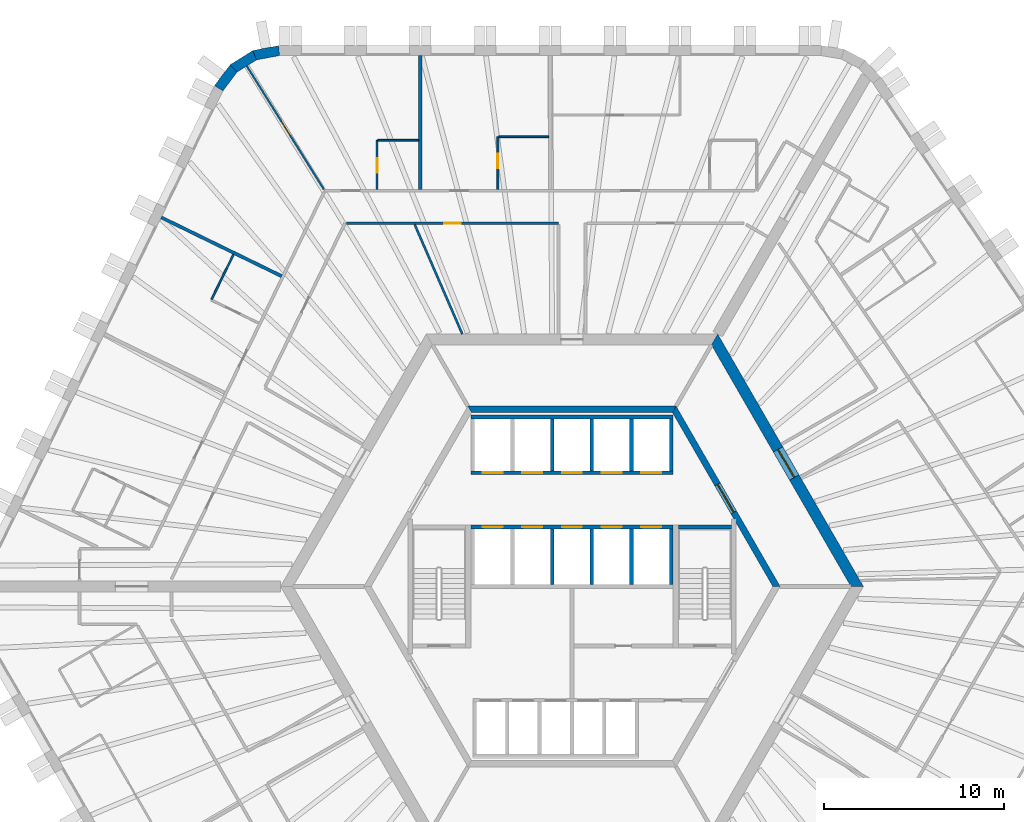
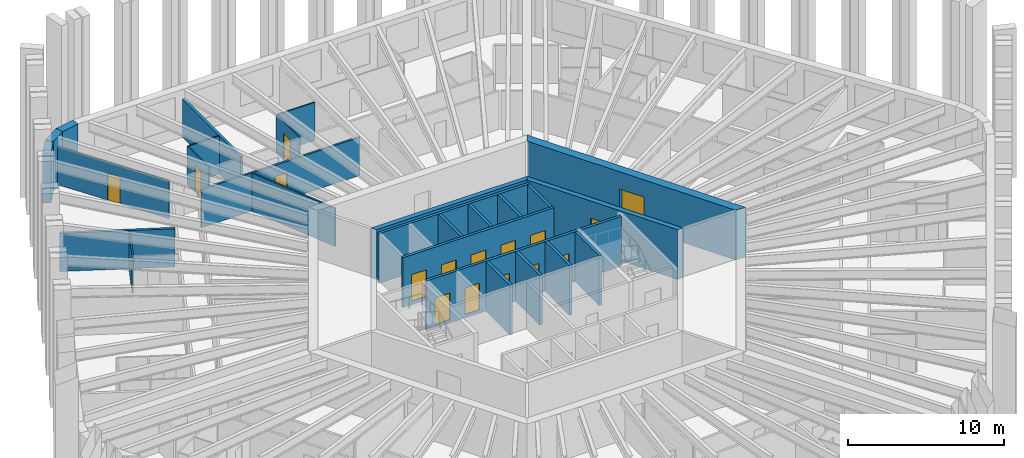
# One storey, part 8 of 13: 28 walls, 16 doors, 16 openings.
"""IFC4 building model written with IfcOpenShell, lengths in metres."""

from ifc_helpers import new_model, si_unit, direction, frame, frame_2d, origin, place, context, subcontext, project, spatial, polyline, rectangle, outline, extrude, material, layer, layer_set, type_object, element, fill, save


model = new_model("IFC4")

# Units and contexts
model_context = context("Model", 3, precision=1e-05, world=origin(), true_north=direction((0.0, 1.0)))
body_context = subcontext(model_context, "Body", "Model", "MODEL_VIEW")
ifc_project = project(units=[si_unit("LENGTHUNIT", "METRE"), si_unit("AREAUNIT", "SQUARE_METRE"), si_unit("VOLUMEUNIT", "CUBIC_METRE"), si_unit("PLANEANGLEUNIT", "RADIAN"), si_unit("MASSUNIT", "GRAM", prefix="KILO")], contexts=[model_context])

# Site, building, storey
site_placement = place(None, origin())
site = spatial("IfcSite", under=ifc_project, at=site_placement, CompositionType="ELEMENT")
building_placement = place(site_placement, origin())
building = spatial("IfcBuilding", under=site, at=building_placement, Name="Tarnside Tower", CompositionType="ELEMENT")
storey_placement = place(building_placement, frame((0.0, 0.0, 123.300048828125)))
storey = spatial("IfcBuildingStorey", under=building, at=storey_placement, Name="L28", CompositionType="ELEMENT", Elevation=123.300048828125)

# Wall, opening, door
ifc_material_1 = material(Name="Gypsum board partition on steel studs", Category="steel")
ifc_layer_1 = layer(ifc_material_1, 0.10009765625)
ifc_layer_set_1 = layer_set([ifc_layer_1], Name="Bathroom wall 100")
wall_type_1 = type_object("IfcWallType", Name="Bathroom wall 100", PredefinedType="PARTITIONING", material=ifc_layer_set_1)
wall_1_placement = place(storey_placement, frame((-4.111083984375, 22.02490234375, 0.0), z_axis=(0.0, 0.0, 1.0), x_axis=(0.0, 1.0, 0.0)))
wall_1 = element("IfcWall", 1, at=wall_1_placement, inside=storey, type_object=wall_type_1, Name="Bathroom wall 09089", PredefinedType="PARTITIONING", context=body_context, shape_type="SweptSolid", body=[
    extrude(rectangle(XDim=2.925048828125, YDim=0.10009765625, at=frame_2d((1.46240234375, 0.0))), origin(), (0.0, 0.0, 1.0), 2.98779296875),
])
opening_1_placement = place(wall_1_placement, frame((1.175048828125, 0.0, 0.0)))
opening_1 = element("IfcOpeningElement", 2, at=opening_1_placement, cuts=wall_1, Name="Opening D-B1", PredefinedType="OPENING", context=body_context, shape_type="SweptSolid", body=[
    extrude(rectangle(XDim=0.800048828125, YDim=2.10009765625, at=frame_2d((0.39990234375, 1.050048828125))), frame((0.0, 0.06005859375, 0.0), z_axis=(0.0, -1.0, 0.0), x_axis=(1.0, 0.0, 0.0)), (0.0, 0.0, 1.0), 0.1201171875),
])
ifc_material_2 = material(Name="Timber door leaf", Category="wood")
door_type_1 = type_object("IfcDoorType", Name="Bathroom door 800", OperationType="NOTDEFINED", PredefinedType="DOOR", material=ifc_material_2)
door_1_placement = place(opening_1_placement, origin())
door_1 = element("IfcDoor", 3, at=door_1_placement, inside=storey, type_object=door_type_1, Name="Bathroom door 09005", OperationType="SINGLE_SWING_LEFT", OverallHeight=2.10009765625, OverallWidth=0.800048828125, PredefinedType="DOOR", context=body_context, shape_type="SweptSolid", body=[
    extrude(rectangle(XDim=0.800048828125, YDim=2.10009765625, at=frame_2d((0.39990234375, 1.050048828125))), frame((0.0, 0.02490234375, 0.0), z_axis=(0.0, -1.0, 0.0), x_axis=(1.0, 0.0, 0.0)), (0.0, 0.0, 1.0), 0.050048828125),
])
fill(opening_1, door_1)

# Wall
wall_2_placement = place(storey_placement, frame((-4.06103515625, 24.949951171875, 0.0), z_axis=(0.0, 0.0, 1.0), x_axis=(1.0, 0.0, 0.0)))
element("IfcWall", 4, at=wall_2_placement, inside=storey, type_object=wall_type_1, Name="Bathroom wall 09090", PredefinedType="PARTITIONING", context=body_context, shape_type="SweptSolid", body=[
    extrude(rectangle(XDim=2.760009765625, YDim=0.10009765625, at=frame_2d((1.3798828125, 0.0))), origin(), (0.0, 0.0, 1.0), 2.98779296875),
])

# Wall, opening, door
wall_3_placement = place(storey_placement, frame((-10.81103515625, 22.02490234375, 0.0), z_axis=(0.0, 0.0, 1.0), x_axis=(0.0, 1.0, 0.0)))
wall_3 = element("IfcWall", 5, at=wall_3_placement, inside=storey, type_object=wall_type_1, Name="Bathroom wall 09093", PredefinedType="PARTITIONING", context=body_context, shape_type="SweptSolid", body=[
    extrude(rectangle(XDim=2.72509765625, YDim=0.10009765625, at=frame_2d((1.362548828125, 0.0))), origin(), (0.0, 0.0, 1.0), 2.98779296875),
])
opening_2_placement = place(wall_3_placement, frame((0.925048828125, 0.0, 0.0)))
opening_2 = element("IfcOpeningElement", 6, at=opening_2_placement, cuts=wall_3, Name="Opening D-B1", PredefinedType="OPENING", context=body_context, shape_type="SweptSolid", body=[
    extrude(rectangle(XDim=0.800048828125, YDim=2.10009765625, at=frame_2d((0.39990234375, 1.050048828125))), frame((0.0, 0.06005859375, 0.0), z_axis=(0.0, -1.0, 0.0), x_axis=(1.0, 0.0, 0.0)), (0.0, 0.0, 1.0), 0.1201171875),
])
door_2_placement = place(opening_2_placement, origin())
door_2 = element("IfcDoor", 7, at=door_2_placement, inside=storey, type_object=door_type_1, Name="Bathroom door 09007", OperationType="SINGLE_SWING_RIGHT", OverallHeight=2.10009765625, OverallWidth=0.800048828125, PredefinedType="DOOR", context=body_context, shape_type="SweptSolid", body=[
    extrude(rectangle(XDim=0.800048828125, YDim=2.10009765625, at=frame_2d((0.39990234375, 1.050048828125))), frame((0.0, 0.02490234375, 0.0), z_axis=(0.0, -1.0, 0.0), x_axis=(1.0, 0.0, 0.0)), (0.0, 0.0, 1.0), 0.050048828125),
])
fill(opening_2, door_2)

# Walls
wall_4_placement = place(storey_placement, frame((-10.760986328125, 24.75, 0.0), z_axis=(0.0, 0.0, 1.0), x_axis=(1.0, 0.0, 0.0)))
element("IfcWall", 8, at=wall_4_placement, inside=storey, type_object=wall_type_1, Name="Bathroom wall 09094", PredefinedType="PARTITIONING", context=body_context, shape_type="SweptSolid", body=[
    extrude(rectangle(XDim=2.260009765625, YDim=0.10009765625, at=frame_2d((1.1298828125, 0.0))), origin(), (0.0, 0.0, 1.0), 2.98779296875),
])
wall_5_placement = place(storey_placement, frame((-19.987060546875, 15.935546875, 0.0), z_axis=(0.0, 0.0, 1.0), x_axis=(0.438381805748, 0.898788847499, 0.0)))
element("IfcWall", 9, at=wall_5_placement, inside=storey, type_object=wall_type_1, Name="Bathroom wall 09099", PredefinedType="PARTITIONING", context=body_context, shape_type="SweptSolid", body=[
    extrude(rectangle(XDim=2.760009765625, YDim=0.10009765625, at=frame_2d((1.3798828125, 0.0))), origin(), (0.0, 0.0, 1.0), 2.98779296875),
])

# Wall, opening, door
ifc_material_3 = material(Name="Concrete C50/60", Category="concrete")
ifc_layer_2 = layer(ifc_material_3, 0.35009765625)
ifc_layer_set_2 = layer_set([ifc_layer_2], Name="Core block wall 350 C50/60")
wall_type_2 = type_object("IfcWallType", Name="Core block wall 350 C50/60", PredefinedType="SHEAR", material=ifc_layer_set_2)
wall_6_placement = place(storey_placement, frame((11.344970703125, 0.0, -0.150146484375), z_axis=(0.0, 0.0, 1.0), x_axis=(-0.499995046907, 0.866028263435, 0.0)))
wall_6 = element("IfcWall", 10, at=wall_6_placement, inside=storey, type_object=wall_type_2, Name="L28 core block wall face 6", PredefinedType="SHEAR", context=body_context, shape_type="SweptSolid", body=[
    extrude(outline(polyline([(-0.10107421875, -0.175048828125), (11.44580078125, -0.175048828125), (11.24365234375, 0.175048828125), (0.10107421875, 0.175048828125), (-0.10107421875, -0.175048828125)])), origin(), (0.0, 0.0, 1.0), 3.900146484375),
])
opening_3_placement = place(wall_6_placement, frame((4.74365234375, 0.0, 0.14990234375)))
opening_3 = element("IfcOpeningElement", 11, at=opening_3_placement, cuts=wall_6, Name="Opening CD-LOB", PredefinedType="OPENING", context=body_context, shape_type="SweptSolid", body=[
    extrude(rectangle(XDim=1.800048828125, YDim=2.39990234375, at=frame_2d((0.89990234375, 1.199951171875))), frame((0.0, 0.18505859375, 0.0), z_axis=(0.0, -1.0, 0.0), x_axis=(1.0, 0.0, 0.0)), (0.0, 0.0, 1.0), 0.3701171875),
])
ifc_material_4 = material(Name="Steel fire door", Category="steel")
door_type_2 = type_object("IfcDoorType", Name="Lobby double door FD30S 1800x2400", OperationType="NOTDEFINED", PredefinedType="DOOR", material=ifc_material_4)
door_3_placement = place(opening_3_placement, origin())
door_3 = element("IfcDoor", 12, at=door_3_placement, inside=storey, type_object=door_type_2, Name="L28 lobby block door P2", OperationType="DOUBLE_DOOR_SINGLE_SWING", OverallHeight=2.39990234375, OverallWidth=1.800048828125, PredefinedType="DOOR", context=body_context, shape_type="SweptSolid", body=[
    extrude(rectangle(XDim=1.800048828125, YDim=2.39990234375, at=frame_2d((0.89990234375, 1.199951171875))), frame((0.0, 0.02490234375, 0.0), z_axis=(0.0, -1.0, 0.0), x_axis=(1.0, 0.0, 0.0)), (0.0, 0.0, 1.0), 0.050048828125),
])
fill(opening_3, door_3)

# Wall
wall_7_placement = place(storey_placement, frame((5.672607421875, 9.824951171875, -0.150146484375), z_axis=(0.0, 0.0, 1.0), x_axis=(-1.0, 0.0, 0.0)))
element("IfcWall", 13, at=wall_7_placement, inside=storey, type_object=wall_type_2, Name="L28 core block wall face 1", PredefinedType="SHEAR", context=body_context, shape_type="SweptSolid", body=[
    extrude(outline(polyline([(-0.10107421875, -0.175048828125), (11.4462890625, -0.175048828125), (11.244140625, 0.175048828125), (0.10107421875, 0.175048828125), (-0.10107421875, -0.175048828125)])), origin(), (0.0, 0.0, 1.0), 3.900146484375),
])

# Wall, opening, door
ifc_material_5 = material(Name="Concrete C80/95", Category="concrete")
ifc_layer_3 = layer(ifc_material_5, 0.60009765625)
ifc_layer_set_3 = layer_set([ifc_layer_3], Name="Core wall Z1 600 C80/95")
wall_type_3 = type_object("IfcWallType", Name="Core wall Z1 600 C80/95", PredefinedType="SHEAR", material=ifc_layer_set_3)
wall_8_placement = place(storey_placement, frame((15.8193359375, 0.0, -0.150146484375), z_axis=(0.0, 0.0, 1.0), x_axis=(-0.499999880136, 0.866025472988, 0.0)))
wall_8 = element("IfcWall", 14, at=wall_8_placement, inside=storey, type_object=wall_type_3, Name="L28 core wall face 6", PredefinedType="SHEAR", context=body_context, shape_type="SweptSolid", body=[
    extrude(outline(polyline([(-0.17333984375, -0.300048828125), (15.99267578125, -0.300048828125), (15.64599609375, 0.300048828125), (0.17333984375, 0.300048828125), (-0.17333984375, -0.300048828125)])), origin(), (0.0, 0.0, 1.0), 3.900146484375),
])
opening_4_placement = place(wall_8_placement, frame((6.980712890625, 0.0, 0.14990234375)))
opening_4 = element("IfcOpeningElement", 15, at=opening_4_placement, cuts=wall_8, Name="Opening CD-LOB", PredefinedType="OPENING", context=body_context, shape_type="SweptSolid", body=[
    extrude(rectangle(XDim=1.800048828125, YDim=2.39990234375, at=frame_2d((0.89990234375, 1.199951171875))), frame((0.0, 0.31005859375, 0.0), z_axis=(0.0, -1.0, 0.0), x_axis=(1.0, 0.0, 0.0)), (0.0, 0.0, 1.0), 0.6201171875),
])
door_4_placement = place(opening_4_placement, origin())
door_4 = element("IfcDoor", 16, at=door_4_placement, inside=storey, type_object=door_type_2, Name="L28 core door P2", OperationType="DOUBLE_DOOR_SINGLE_SWING", OverallHeight=2.39990234375, OverallWidth=1.800048828125, PredefinedType="DOOR", context=body_context, shape_type="SweptSolid", body=[
    extrude(rectangle(XDim=1.800048828125, YDim=2.39990234375, at=frame_2d((0.89990234375, 1.199951171875))), frame((0.0, 0.02490234375, 0.0), z_axis=(0.0, -1.0, 0.0), x_axis=(1.0, 0.0, 0.0)), (0.0, 0.0, 1.0), 0.050048828125),
])
fill(opening_4, door_4)

ifc_layer_4 = layer(ifc_material_1, 0.14990234375)
ifc_layer_set_4 = layer_set([ifc_layer_4], Name="Corridor wall 150 EI 60")
wall_type_4 = type_object("IfcWallType", Name="Corridor wall 150 EI 60", PredefinedType="PARTITIONING", material=ifc_layer_set_4)
wall_9_placement = place(storey_placement, frame((-12.507568359375, 20.14990234375, 0.0), z_axis=(0.0, 0.0, 1.0), x_axis=(1.0, 0.0, 0.0)))
wall_9 = element("IfcWall", 17, at=wall_9_placement, inside=storey, type_object=wall_type_4, Name="Corridor wall 09017", PredefinedType="PARTITIONING", context=body_context, shape_type="SweptSolid", body=[
    extrude(rectangle(XDim=11.757568359375, YDim=0.14990234375, at=frame_2d((5.87890625, 0.0))), origin(), (0.0, 0.0, 1.0), 2.98779296875),
])
opening_5_placement = place(wall_9_placement, frame((5.428955078125, 0.0, 0.0)))
opening_5 = element("IfcOpeningElement", 18, at=opening_5_placement, cuts=wall_9, Name="Opening D-S1", PredefinedType="OPENING", context=body_context, shape_type="SweptSolid", body=[
    extrude(rectangle(XDim=0.89990234375, YDim=2.10009765625, at=frame_2d((0.449951171875, 1.050048828125))), frame((0.0, 0.0849609375, 0.0), z_axis=(0.0, -1.0, 0.0), x_axis=(1.0, 0.0, 0.0)), (0.0, 0.0, 1.0), 0.169921875),
])
door_type_3 = type_object("IfcDoorType", Name="Service room door 900 FD30S", OperationType="NOTDEFINED", PredefinedType="DOOR", material=ifc_material_2)
door_5_placement = place(opening_5_placement, origin())
door_5 = element("IfcDoor", 19, at=door_5_placement, inside=storey, type_object=door_type_3, Name="Service door 09045", OperationType="SINGLE_SWING_RIGHT", OverallHeight=2.10009765625, OverallWidth=0.89990234375, PredefinedType="DOOR", context=body_context, shape_type="SweptSolid", body=[
    extrude(rectangle(XDim=0.89990234375, YDim=2.10009765625, at=frame_2d((0.449951171875, 1.050048828125))), frame((0.0, 0.02490234375, 0.0), z_axis=(0.0, -1.0, 0.0), x_axis=(1.0, 0.0, 0.0)), (0.0, 0.0, 1.0), 0.050048828125),
])
fill(opening_5, door_5)

# Walls
ifc_layer_5 = layer(ifc_material_1, 0.179931640625)
ifc_layer_set_5 = layer_set([ifc_layer_5], Name="Demising wall 180 EI 60")
wall_type_5 = type_object("IfcWallType", Name="Demising wall 180 EI 60", PredefinedType="PARTITIONING", material=ifc_layer_set_5)
for number, where, z_axis, x_axis, name in (
    (20, (-8.4111328125, 29.449951171875, 0.0), (0.0, 0.0, 1.0), (0.0, -1.0, 0.0), "Demising wall 09091"),
    (21, (-22.7822265625, 20.469970703125, 0.0), (0.0, 0.0, 1.0), (0.898796252669, -0.438366623032, 0.0), "Demising wall 09096"),
):
    element("IfcWall", number, at=place(storey_placement, frame(where, z_axis=z_axis, x_axis=x_axis)), inside=storey, type_object=wall_type_5, Name=name, PredefinedType="PARTITIONING", context=body_context, shape_type="SweptSolid", body=[
        extrude(rectangle(XDim=7.425048828125, YDim=0.179931640625, at=frame_2d((3.71240234375, 0.0))), origin(), (0.0, 0.0, 1.0), 2.98779296875),
    ])

# Wall, openings, doors
ifc_material_6 = material(Name="Concrete C40/50", Category="concrete")
ifc_layer_6 = layer(ifc_material_6, 0.199951171875)
ifc_layer_set_6 = layer_set([ifc_layer_6], Name="Lift shaft wall 200 C40/50")
wall_type_6 = type_object("IfcWallType", Name="Lift shaft wall 200 C40/50", PredefinedType="SHEAR", material=ifc_layer_set_6)
wall_10_placement = place(storey_placement, frame((-5.60009765625, 6.300048828125, -0.25), z_axis=(0.0, 0.0, 1.0), x_axis=(1.0, 0.0, 0.0)))
wall_10 = element("IfcWall", 22, at=wall_10_placement, inside=storey, type_object=wall_type_6, Name="L28 lift shaft front wall R1", PredefinedType="SHEAR", context=body_context, shape_type="SweptSolid", body=[
    extrude(rectangle(XDim=11.2001953125, YDim=0.199951171875, at=frame_2d((5.60009765625, 0.0))), origin(), (0.0, 0.0, 1.0), 3.89990234375),
])
opening_6_placement = place(wall_10_placement, frame((0.64990234375, 0.0, 0.25)))
opening_6 = element("IfcOpeningElement", 23, at=opening_6_placement, cuts=wall_10, Name="Opening LD", PredefinedType="OPENING", context=body_context, shape_type="SweptSolid", body=[
    extrude(rectangle(XDim=1.10009765625, YDim=2.10009765625, at=frame_2d((0.550048828125, 1.050048828125))), frame((0.0, 0.10986328125, 0.0), z_axis=(0.0, -1.0, 0.0), x_axis=(1.0, 0.0, 0.0)), (0.0, 0.0, 1.0), 0.219970703125),
])
opening_7_placement = place(wall_10_placement, frame((2.85009765625, 0.0, 0.25)))
opening_7 = element("IfcOpeningElement", 24, at=opening_7_placement, cuts=wall_10, Name="Opening LD", PredefinedType="OPENING", context=body_context, shape_type="SweptSolid", body=[
    extrude(rectangle(XDim=1.10009765625, YDim=2.10009765625, at=frame_2d((0.550048828125, 1.050048828125))), frame((0.0, 0.10986328125, 0.0), z_axis=(0.0, -1.0, 0.0), x_axis=(1.0, 0.0, 0.0)), (0.0, 0.0, 1.0), 0.219970703125),
])
opening_8_placement = place(wall_10_placement, frame((5.050048828125, 0.0, 0.25)))
opening_8 = element("IfcOpeningElement", 25, at=opening_8_placement, cuts=wall_10, Name="Opening LD", PredefinedType="OPENING", context=body_context, shape_type="SweptSolid", body=[
    extrude(rectangle(XDim=1.10009765625, YDim=2.10009765625, at=frame_2d((0.550048828125, 1.050048828125))), frame((0.0, 0.10986328125, 0.0), z_axis=(0.0, -1.0, 0.0), x_axis=(1.0, 0.0, 0.0)), (0.0, 0.0, 1.0), 0.219970703125),
])
opening_9_placement = place(wall_10_placement, frame((7.25, 0.0, 0.25)))
opening_9 = element("IfcOpeningElement", 26, at=opening_9_placement, cuts=wall_10, Name="Opening LD", PredefinedType="OPENING", context=body_context, shape_type="SweptSolid", body=[
    extrude(rectangle(XDim=1.10009765625, YDim=2.10009765625, at=frame_2d((0.550048828125, 1.050048828125))), frame((0.0, 0.10986328125, 0.0), z_axis=(0.0, -1.0, 0.0), x_axis=(1.0, 0.0, 0.0)), (0.0, 0.0, 1.0), 0.219970703125),
])
opening_10_placement = place(wall_10_placement, frame((9.449951171875, 0.0, 0.25)))
opening_10 = element("IfcOpeningElement", 27, at=opening_10_placement, cuts=wall_10, Name="Opening LD", PredefinedType="OPENING", context=body_context, shape_type="SweptSolid", body=[
    extrude(rectangle(XDim=1.10009765625, YDim=2.10009765625, at=frame_2d((0.550048828125, 1.050048828125))), frame((0.0, 0.10986328125, 0.0), z_axis=(0.0, -1.0, 0.0), x_axis=(1.0, 0.0, 0.0)), (0.0, 0.0, 1.0), 0.219970703125),
])
ifc_material_7 = material(Name="Stainless steel", Category="steel")
door_type_4 = type_object("IfcDoorType", Name="Lift landing door 1100x2100", OperationType="NOTDEFINED", PredefinedType="DOOR", material=ifc_material_7)
door_6_placement = place(opening_6_placement, origin())
door_6 = element("IfcDoor", 28, at=door_6_placement, inside=storey, type_object=door_type_4, Name="Low-rise lift 1 landing door L28", OperationType="SLIDING_TO_LEFT", OverallHeight=2.10009765625, OverallWidth=1.10009765625, PredefinedType="DOOR", context=body_context, shape_type="SweptSolid", body=[
    extrude(rectangle(XDim=1.10009765625, YDim=2.10009765625, at=frame_2d((0.550048828125, 1.050048828125))), frame((0.0, 0.02490234375, 0.0), z_axis=(0.0, -1.0, 0.0), x_axis=(1.0, 0.0, 0.0)), (0.0, 0.0, 1.0), 0.050048828125),
])
fill(opening_6, door_6)
door_7_placement = place(opening_7_placement, origin())
door_7 = element("IfcDoor", 29, at=door_7_placement, inside=storey, type_object=door_type_4, Name="Low-rise lift 2 landing door L28", OperationType="SLIDING_TO_LEFT", OverallHeight=2.10009765625, OverallWidth=1.10009765625, PredefinedType="DOOR", context=body_context, shape_type="SweptSolid", body=[
    extrude(rectangle(XDim=1.10009765625, YDim=2.10009765625, at=frame_2d((0.550048828125, 1.050048828125))), frame((0.0, 0.02490234375, 0.0), z_axis=(0.0, -1.0, 0.0), x_axis=(1.0, 0.0, 0.0)), (0.0, 0.0, 1.0), 0.050048828125),
])
fill(opening_7, door_7)
door_8_placement = place(opening_8_placement, origin())
door_8 = element("IfcDoor", 30, at=door_8_placement, inside=storey, type_object=door_type_4, Name="Low-rise lift 3 landing door L28", OperationType="SLIDING_TO_LEFT", OverallHeight=2.10009765625, OverallWidth=1.10009765625, PredefinedType="DOOR", context=body_context, shape_type="SweptSolid", body=[
    extrude(rectangle(XDim=1.10009765625, YDim=2.10009765625, at=frame_2d((0.550048828125, 1.050048828125))), frame((0.0, 0.02490234375, 0.0), z_axis=(0.0, -1.0, 0.0), x_axis=(1.0, 0.0, 0.0)), (0.0, 0.0, 1.0), 0.050048828125),
])
fill(opening_8, door_8)
door_9_placement = place(opening_9_placement, origin())
door_9 = element("IfcDoor", 31, at=door_9_placement, inside=storey, type_object=door_type_4, Name="Low sky-lobby shuttle 1 landing door L28", OperationType="SLIDING_TO_LEFT", OverallHeight=2.10009765625, OverallWidth=1.10009765625, PredefinedType="DOOR", context=body_context, shape_type="SweptSolid", body=[
    extrude(rectangle(XDim=1.10009765625, YDim=2.10009765625, at=frame_2d((0.550048828125, 1.050048828125))), frame((0.0, 0.02490234375, 0.0), z_axis=(0.0, -1.0, 0.0), x_axis=(1.0, 0.0, 0.0)), (0.0, 0.0, 1.0), 0.050048828125),
])
fill(opening_9, door_9)
door_10_placement = place(opening_10_placement, origin())
door_10 = element("IfcDoor", 32, at=door_10_placement, inside=storey, type_object=door_type_4, Name="Low sky-lobby shuttle 2 landing door L28", OperationType="SLIDING_TO_LEFT", OverallHeight=2.10009765625, OverallWidth=1.10009765625, PredefinedType="DOOR", context=body_context, shape_type="SweptSolid", body=[
    extrude(rectangle(XDim=1.10009765625, YDim=2.10009765625, at=frame_2d((0.550048828125, 1.050048828125))), frame((0.0, 0.02490234375, 0.0), z_axis=(0.0, -1.0, 0.0), x_axis=(1.0, 0.0, 0.0)), (0.0, 0.0, 1.0), 0.050048828125),
])
fill(opening_10, door_10)

# Walls
wall_11_placement = place(storey_placement, frame((-5.60009765625, 9.39990234375, -0.25), z_axis=(0.0, 0.0, 1.0), x_axis=(1.0, 0.0, 0.0)))
element("IfcWall", 33, at=wall_11_placement, inside=storey, type_object=wall_type_6, Name="L28 lift shaft back wall R1", PredefinedType="SHEAR", context=body_context, shape_type="SweptSolid", body=[
    extrude(rectangle(XDim=11.2001953125, YDim=0.199951171875, at=frame_2d((5.60009765625, 0.0))), origin(), (0.0, 0.0, 1.0), 3.89990234375),
])
for number, where, z_axis, x_axis, name in (
    (34, (-1.10009765625, 6.39990234375, -0.25), (0.0, 0.0, 1.0), (0.0, 1.0, 0.0), "L28 lift shaft partition R13"),
    (35, (1.10009765625, 6.39990234375, -0.25), (0.0, 0.0, 1.0), (0.0, 1.0, 0.0), "L28 lift shaft partition R14"),
    (36, (3.300048828125, 6.39990234375, -0.25), (0.0, 0.0, 1.0), (0.0, 1.0, 0.0), "L28 lift shaft partition R15"),
    (37, (5.5, 6.39990234375, -0.25), (0.0, 0.0, 1.0), (0.0, 1.0, 0.0), "L28 lift shaft partition R16"),
):
    element("IfcWall", number, at=place(storey_placement, frame(where, z_axis=z_axis, x_axis=x_axis)), inside=storey, type_object=wall_type_6, Name=name, PredefinedType="SHEAR", context=body_context, shape_type="SweptSolid", body=[
        extrude(rectangle(XDim=2.900146484375, YDim=0.199951171875, at=frame_2d((1.4501953125, 0.0))), origin(), (0.0, 0.0, 1.0), 3.89990234375),
    ])

# Wall, openings, doors
wall_12_placement = place(storey_placement, frame((-5.60009765625, 3.300048828125, -0.25), z_axis=(0.0, 0.0, 1.0), x_axis=(1.0, 0.0, 0.0)))
wall_12 = element("IfcWall", 38, at=wall_12_placement, inside=storey, type_object=wall_type_6, Name="L28 lift shaft front wall R2", PredefinedType="SHEAR", context=body_context, shape_type="SweptSolid", body=[
    extrude(rectangle(XDim=11.2001953125, YDim=0.199951171875, at=frame_2d((5.60009765625, 0.0))), origin(), (0.0, 0.0, 1.0), 3.89990234375),
])
opening_11_placement = place(wall_12_placement, frame((0.64990234375, 0.0, 0.25)))
opening_11 = element("IfcOpeningElement", 39, at=opening_11_placement, cuts=wall_12, Name="Opening LD", PredefinedType="OPENING", context=body_context, shape_type="SweptSolid", body=[
    extrude(rectangle(XDim=1.10009765625, YDim=2.10009765625, at=frame_2d((0.550048828125, 1.050048828125))), frame((0.0, 0.10986328125, 0.0), z_axis=(0.0, -1.0, 0.0), x_axis=(1.0, 0.0, 0.0)), (0.0, 0.0, 1.0), 0.219970703125),
])
opening_12_placement = place(wall_12_placement, frame((2.85009765625, 0.0, 0.25)))
opening_12 = element("IfcOpeningElement", 40, at=opening_12_placement, cuts=wall_12, Name="Opening LD", PredefinedType="OPENING", context=body_context, shape_type="SweptSolid", body=[
    extrude(rectangle(XDim=1.10009765625, YDim=2.10009765625, at=frame_2d((0.550048828125, 1.050048828125))), frame((0.0, 0.10986328125, 0.0), z_axis=(0.0, -1.0, 0.0), x_axis=(1.0, 0.0, 0.0)), (0.0, 0.0, 1.0), 0.219970703125),
])
opening_13_placement = place(wall_12_placement, frame((5.050048828125, 0.0, 0.25)))
opening_13 = element("IfcOpeningElement", 41, at=opening_13_placement, cuts=wall_12, Name="Opening LD", PredefinedType="OPENING", context=body_context, shape_type="SweptSolid", body=[
    extrude(rectangle(XDim=1.10009765625, YDim=2.10009765625, at=frame_2d((0.550048828125, 1.050048828125))), frame((0.0, 0.10986328125, 0.0), z_axis=(0.0, -1.0, 0.0), x_axis=(1.0, 0.0, 0.0)), (0.0, 0.0, 1.0), 0.219970703125),
])
opening_14_placement = place(wall_12_placement, frame((7.25, 0.0, 0.25)))
opening_14 = element("IfcOpeningElement", 42, at=opening_14_placement, cuts=wall_12, Name="Opening LD", PredefinedType="OPENING", context=body_context, shape_type="SweptSolid", body=[
    extrude(rectangle(XDim=1.10009765625, YDim=2.10009765625, at=frame_2d((0.550048828125, 1.050048828125))), frame((0.0, 0.10986328125, 0.0), z_axis=(0.0, -1.0, 0.0), x_axis=(1.0, 0.0, 0.0)), (0.0, 0.0, 1.0), 0.219970703125),
])
opening_15_placement = place(wall_12_placement, frame((9.449951171875, 0.0, 0.25)))
opening_15 = element("IfcOpeningElement", 43, at=opening_15_placement, cuts=wall_12, Name="Opening LD", PredefinedType="OPENING", context=body_context, shape_type="SweptSolid", body=[
    extrude(rectangle(XDim=1.10009765625, YDim=2.10009765625, at=frame_2d((0.550048828125, 1.050048828125))), frame((0.0, 0.10986328125, 0.0), z_axis=(0.0, -1.0, 0.0), x_axis=(1.0, 0.0, 0.0)), (0.0, 0.0, 1.0), 0.219970703125),
])
door_11_placement = place(opening_11_placement, origin())
door_11 = element("IfcDoor", 44, at=door_11_placement, inside=storey, type_object=door_type_4, Name="Low-rise lift 4 landing door L28", OperationType="SLIDING_TO_LEFT", OverallHeight=2.10009765625, OverallWidth=1.10009765625, PredefinedType="DOOR", context=body_context, shape_type="SweptSolid", body=[
    extrude(rectangle(XDim=1.10009765625, YDim=2.10009765625, at=frame_2d((0.550048828125, 1.050048828125))), frame((0.0, 0.02490234375, 0.0), z_axis=(0.0, -1.0, 0.0), x_axis=(1.0, 0.0, 0.0)), (0.0, 0.0, 1.0), 0.050048828125),
])
fill(opening_11, door_11)
door_12_placement = place(opening_12_placement, origin())
door_12 = element("IfcDoor", 45, at=door_12_placement, inside=storey, type_object=door_type_4, Name="Low-rise lift 5 landing door L28", OperationType="SLIDING_TO_LEFT", OverallHeight=2.10009765625, OverallWidth=1.10009765625, PredefinedType="DOOR", context=body_context, shape_type="SweptSolid", body=[
    extrude(rectangle(XDim=1.10009765625, YDim=2.10009765625, at=frame_2d((0.550048828125, 1.050048828125))), frame((0.0, 0.02490234375, 0.0), z_axis=(0.0, -1.0, 0.0), x_axis=(1.0, 0.0, 0.0)), (0.0, 0.0, 1.0), 0.050048828125),
])
fill(opening_12, door_12)
door_13_placement = place(opening_13_placement, origin())
door_13 = element("IfcDoor", 46, at=door_13_placement, inside=storey, type_object=door_type_4, Name="Low-rise lift 6 landing door L28", OperationType="SLIDING_TO_LEFT", OverallHeight=2.10009765625, OverallWidth=1.10009765625, PredefinedType="DOOR", context=body_context, shape_type="SweptSolid", body=[
    extrude(rectangle(XDim=1.10009765625, YDim=2.10009765625, at=frame_2d((0.550048828125, 1.050048828125))), frame((0.0, 0.02490234375, 0.0), z_axis=(0.0, -1.0, 0.0), x_axis=(1.0, 0.0, 0.0)), (0.0, 0.0, 1.0), 0.050048828125),
])
fill(opening_13, door_13)
door_14_placement = place(opening_14_placement, origin())
door_14 = element("IfcDoor", 47, at=door_14_placement, inside=storey, type_object=door_type_4, Name="High sky-lobby shuttle 1 landing door L28", OperationType="SLIDING_TO_LEFT", OverallHeight=2.10009765625, OverallWidth=1.10009765625, PredefinedType="DOOR", context=body_context, shape_type="SweptSolid", body=[
    extrude(rectangle(XDim=1.10009765625, YDim=2.10009765625, at=frame_2d((0.550048828125, 1.050048828125))), frame((0.0, 0.02490234375, 0.0), z_axis=(0.0, -1.0, 0.0), x_axis=(1.0, 0.0, 0.0)), (0.0, 0.0, 1.0), 0.050048828125),
])
fill(opening_14, door_14)
door_15_placement = place(opening_15_placement, origin())
door_15 = element("IfcDoor", 48, at=door_15_placement, inside=storey, type_object=door_type_4, Name="Express sky-lobby shuttle 2 landing door L28", OperationType="SLIDING_TO_LEFT", OverallHeight=2.10009765625, OverallWidth=1.10009765625, PredefinedType="DOOR", context=body_context, shape_type="SweptSolid", body=[
    extrude(rectangle(XDim=1.10009765625, YDim=2.10009765625, at=frame_2d((0.550048828125, 1.050048828125))), frame((0.0, 0.02490234375, 0.0), z_axis=(0.0, -1.0, 0.0), x_axis=(1.0, 0.0, 0.0)), (0.0, 0.0, 1.0), 0.050048828125),
])
fill(opening_15, door_15)

# Walls
for number, where, z_axis, x_axis, name in (
    (49, (-1.10009765625, 0.10009765625, -0.25), (0.0, 0.0, 1.0), (0.0, 1.0, 0.0), "L28 lift shaft partition R23"),
    (50, (1.10009765625, 0.10009765625, -0.25), (0.0, 0.0, 1.0), (0.0, 1.0, 0.0), "L28 lift shaft partition R24"),
    (51, (3.300048828125, 0.10009765625, -0.25), (0.0, 0.0, 1.0), (0.0, 1.0, 0.0), "L28 lift shaft partition R25"),
    (52, (5.5, 0.10009765625, -0.25), (0.0, 0.0, 1.0), (0.0, 1.0, 0.0), "L28 lift shaft partition R26"),
):
    element("IfcWall", number, at=place(storey_placement, frame(where, z_axis=z_axis, x_axis=x_axis)), inside=storey, type_object=wall_type_6, Name=name, PredefinedType="SHEAR", context=body_context, shape_type="SweptSolid", body=[
        extrude(rectangle(XDim=3.099853515625, YDim=0.199951171875, at=frame_2d((1.5498046875, 0.0))), origin(), (0.0, 0.0, 1.0), 3.89990234375),
    ])
wall_13_placement = place(storey_placement, frame((5.89990234375, 3.300048828125, -0.25), z_axis=(0.0, 0.0, 1.0), x_axis=(1.0, 0.0, 0.0)))
element("IfcWall", 53, at=wall_13_placement, inside=storey, type_object=wall_type_6, Name="L28 stair 1 enclosure cap wall n", PredefinedType="SHEAR", context=body_context, shape_type="SweptSolid", body=[
    extrude(rectangle(XDim=2.9501953125, YDim=0.199951171875, at=frame_2d((1.47509765625, 0.0))), origin(), (0.0, 0.0, 1.0), 3.89990234375),
])

# Wall, opening, door
ifc_layer_7 = layer(ifc_material_1, 0.10009765625)
ifc_layer_set_7 = layer_set([ifc_layer_7], Name="Partition 100")
wall_type_7 = type_object("IfcWallType", Name="Partition 100", PredefinedType="PARTITIONING", material=ifc_layer_set_7)
wall_14_placement = place(storey_placement, frame((-18.040771484375, 28.87109375, 0.0), z_axis=(0.0, 0.0, 1.0), x_axis=(0.529928260537, -0.848042474575, 0.0)))
wall_14 = element("IfcWall", 54, at=wall_14_placement, inside=storey, type_object=wall_type_7, Name="Partition wall 09095", PredefinedType="PARTITIONING", context=body_context, shape_type="SweptSolid", body=[
    extrude(rectangle(XDim=8.072998046875, YDim=0.10009765625, at=frame_2d((4.03662109375, 0.0))), origin(), (0.0, 0.0, 1.0), 2.98779296875),
])
opening_16_placement = place(wall_14_placement, frame((3.630615234375, 0.0, 0.0)))
opening_16 = element("IfcOpeningElement", 55, at=opening_16_placement, cuts=wall_14, Name="Opening D-I1", PredefinedType="OPENING", context=body_context, shape_type="SweptSolid", body=[
    extrude(rectangle(XDim=0.89990234375, YDim=2.10009765625, at=frame_2d((0.449951171875, 1.050048828125))), frame((0.0, 0.06005859375, 0.0), z_axis=(0.0, -1.0, 0.0), x_axis=(1.0, 0.0, 0.0)), (0.0, 0.0, 1.0), 0.1201171875),
])
door_type_5 = type_object("IfcDoorType", Name="Internal door 900", OperationType="NOTDEFINED", PredefinedType="DOOR", material=ifc_material_2)
door_16_placement = place(opening_16_placement, origin())
door_16 = element("IfcDoor", 56, at=door_16_placement, inside=storey, type_object=door_type_5, Name="Internal door 09008", OperationType="SINGLE_SWING_LEFT", OverallHeight=2.10009765625, OverallWidth=0.89990234375, PredefinedType="DOOR", context=body_context, shape_type="SweptSolid", body=[
    extrude(rectangle(XDim=0.89990234375, YDim=2.10009765625, at=frame_2d((0.449951171875, 1.050048828125))), frame((0.0, 0.02490234375, 0.0), z_axis=(0.0, -1.0, 0.0), x_axis=(1.0, 0.0, 0.0)), (0.0, 0.0, 1.0), 0.050048828125),
])
fill(opening_16, door_16)

# Walls
ifc_layer_8 = layer(ifc_material_1, 0.1201171875)
ifc_layer_set_8 = layer_set([ifc_layer_8], Name="Service room wall 120 EI 60")
wall_type_8 = type_object("IfcWallType", Name="Service room wall 120 EI 60", PredefinedType="PARTITIONING", material=ifc_layer_set_8)
wall_15_placement = place(storey_placement, frame((-8.72412109375, 20.074951171875, 0.0), z_axis=(0.0, 0.0, 1.0), x_axis=(0.398549547162, -0.917146803111, 0.0)))
element("IfcWall", 57, at=wall_15_placement, inside=storey, type_object=wall_type_8, Name="Service wall 09174", PredefinedType="PARTITIONING", context=body_context, shape_type="SweptSolid", body=[
    extrude(rectangle(XDim=6.623779296875, YDim=0.1201171875, at=frame_2d((3.31201171875, 0.0))), origin(), (0.0, 0.0, 1.0), 2.98779296875),
])
ifc_material_8 = material(Name="Facing brick", Category="masonry")
ifc_layer_9 = layer(ifc_material_8, 0.10205078125)
ifc_material_9 = material(Name="Concrete C60/75 precast", Category="concrete")
ifc_layer_10 = layer(ifc_material_9, 0.347900390625)
ifc_material_10 = material(Name="Mineral wool insulation")
ifc_layer_11 = layer(ifc_material_10, 0.10009765625)
ifc_layer_set_9 = layer_set([ifc_layer_9, ifc_layer_10, ifc_layer_11], Name="Tube wall 550 brick faced")
wall_type_9 = type_object("IfcWallType", Name="Tube wall 550 brick faced", PredefinedType="SOLIDWALL", material=ifc_layer_set_9)
wall_16_placement = place(storey_placement, frame((-16.24658203125, 29.72509765625, -0.150146484375), z_axis=(0.0, 0.0, 1.0), x_axis=(-0.982705443133, -0.185175624845, 0.0)))
element("IfcWall", 58, at=wall_16_placement, inside=storey, type_object=wall_type_9, Name="Tube wall L28 F1 chord 01", PredefinedType="SOLIDWALL", context=body_context, shape_type="SweptSolid", body=[
    extrude(outline(polyline([(-0.025634765625, -0.27490234375), (1.430908203125, -0.27490234375), (1.327392578125, 0.27490234375), (0.025634765625, 0.27490234375), (-0.025634765625, -0.27490234375)])), origin(), (0.0, 0.0, 1.0), 3.900146484375),
])
wall_17_placement = place(storey_placement, frame((-17.601806640625, 29.4697265625, -0.150146484375), z_axis=(0.0, 0.0, 1.0), x_axis=(-0.848057977594, -0.5299034503, 0.0)))
element("IfcWall", 59, at=wall_17_placement, inside=storey, type_object=wall_type_9, Name="Tube wall L28 F1 chord 02", PredefinedType="SOLIDWALL", context=body_context, shape_type="SweptSolid", body=[
    extrude(outline(polyline([(-0.0517578125, -0.27490234375), (1.4306640625, -0.27490234375), (1.3271484375, 0.27490234375), (0.0517578125, 0.27490234375), (-0.0517578125, -0.27490234375)])), origin(), (0.0, 0.0, 1.0), 3.900146484375),
])
wall_18_placement = place(storey_placement, frame((-18.771240234375, 28.739013671875, -0.150146484375), z_axis=(0.0, 0.0, 1.0), x_axis=(-0.597135295884, -0.802140535324, 0.0)))
element("IfcWall", 60, at=wall_18_placement, inside=storey, type_object=wall_type_9, Name="Tube wall L28 F1 chord 03", PredefinedType="SOLIDWALL", context=body_context, shape_type="SweptSolid", body=[
    extrude(outline(polyline([(-0.0517578125, -0.27490234375), (1.40478515625, -0.27490234375), (1.353515625, 0.27490234375), (0.0517578125, 0.27490234375), (-0.0517578125, -0.27490234375)])), origin(), (0.0, 0.0, 1.0), 3.900146484375),
])

save(model, "model.ifc")
